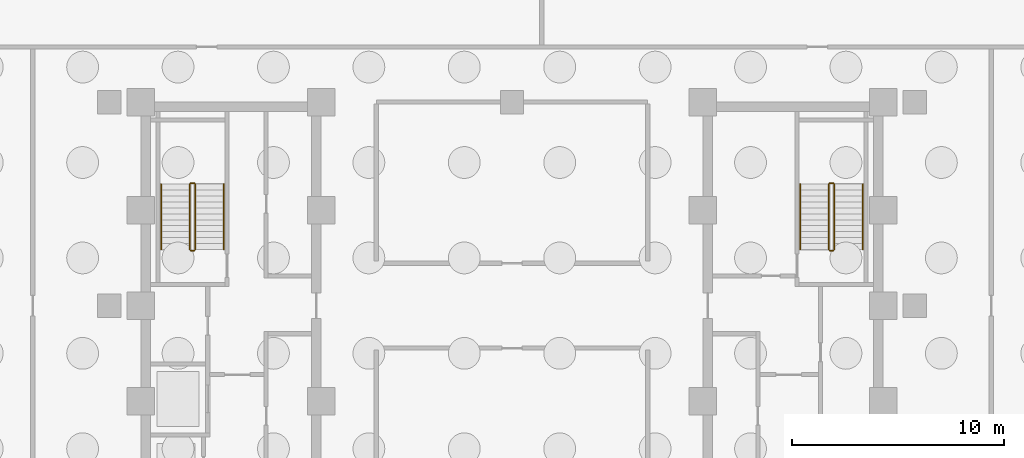
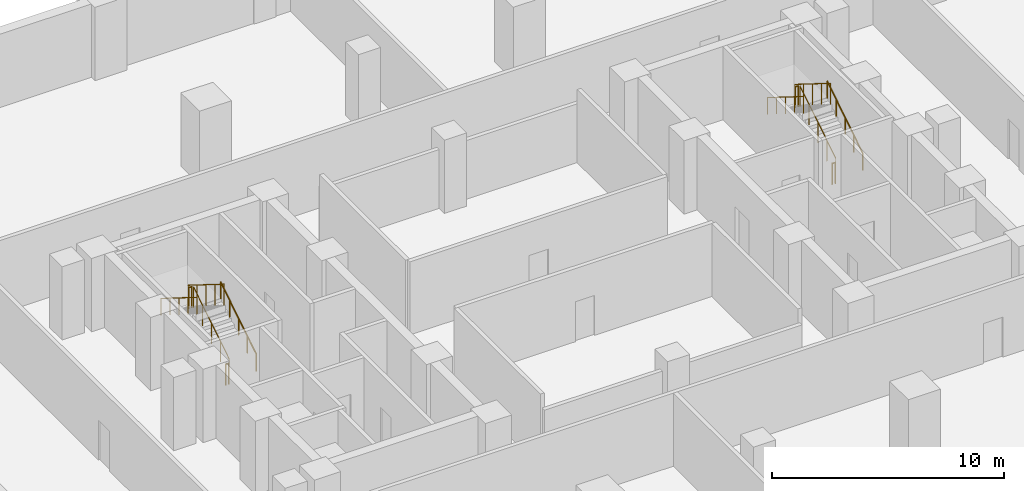
# One storey, part 5 of 6: 12 railings.
"""IFC4 building model written with IfcOpenShell, lengths in metres."""

from ifc_helpers import new_model, si_unit, direction, frame, origin, origin_2d, place, context, subcontext, project, spatial, circle, extrude, material, type_object, element, save


model = new_model("IFC4")

# Units and contexts
model_context = context("Model", 3, precision=1e-05, world=origin(), true_north=direction((0.0, 1.0)))
body_context = subcontext(model_context, "Body", "Model", "MODEL_VIEW")
ifc_project = project(units=[si_unit("LENGTHUNIT", "METRE"), si_unit("AREAUNIT", "SQUARE_METRE"), si_unit("VOLUMEUNIT", "CUBIC_METRE"), si_unit("PLANEANGLEUNIT", "RADIAN"), si_unit("MASSUNIT", "GRAM", prefix="KILO")], contexts=[model_context])

# Site, building, storey
site_placement = place(None, origin())
site = spatial("IfcSite", under=ifc_project, at=site_placement, CompositionType="ELEMENT")
building_placement = place(site_placement, origin())
building = spatial("IfcBuilding", under=site, at=building_placement, Name="Nuvemarco Arch Tower", CompositionType="ELEMENT")
storey_placement = place(building_placement, frame((0.0, 0.0, -8.39990234375)))
storey = spatial("IfcBuildingStorey", under=building, at=storey_placement, Name="B02", CompositionType="ELEMENT", Elevation=-8.39990234375)

# Railings
ifc_material_1 = material(Name="Brushed stainless steel handrail", Category="steel")
railing_type_1 = type_object("IfcRailingType", Name="RL-HANDRAIL-900", PredefinedType="HANDRAIL", material=ifc_material_1)
railing_1_placement = place(storey_placement, frame((-13.590087890625, 2.64990234375, 0.1748046875)))
element("IfcRailing", 1, at=railing_1_placement, inside=storey, type_object=railing_type_1, Name="B02 ST-1 stair handrail 1", PredefinedType="HANDRAIL", context=body_context, shape_type="SweptSolid", body=[
    extrude(circle(Radius=0.02392578125, at=origin_2d()), frame((0.0, 0.0, 0.8759765625), z_axis=(0.0, 0.847998304005, 0.529998940003), x_axis=(-1.0, 0.0, 0.0)), (0.0, 0.0, 1.0), 3.632080078125),
    extrude(circle(Radius=0.02099609375, at=origin_2d()), origin(), (0.0, 0.0, 1.0), 0.851806640625),
    extrude(circle(Radius=0.02099609375, at=origin_2d()), frame((0.0, 0.77001953125, 0.481201171875)), (0.0, 0.0, 1.0), 0.851806640625),
    extrude(circle(Radius=0.02099609375, at=origin_2d()), frame((0.0, 1.5400390625, 0.96240234375)), (0.0, 0.0, 1.0), 0.851806640625),
    extrude(circle(Radius=0.02099609375, at=origin_2d()), frame((0.0, 2.31005859375, 1.44384765625)), (0.0, 0.0, 1.0), 0.851806640625),
    extrude(circle(Radius=0.02099609375, at=origin_2d()), frame((0.0, 3.080078125, 1.925048828125)), (0.0, 0.0, 1.0), 0.851806640625),
])
railing_2_placement = place(storey_placement, frame((-16.550048828125, 5.72998046875, 2.27490234375)))
element("IfcRailing", 2, at=railing_2_placement, inside=storey, type_object=railing_type_1, Name="B02 ST-1 stair handrail 2", PredefinedType="HANDRAIL", context=body_context, shape_type="SweptSolid", body=[
    extrude(circle(Radius=0.02392578125, at=origin_2d()), frame((0.0, 0.0, 0.8759765625), z_axis=(0.0, -0.847998304005, 0.529998940003), x_axis=(1.0, 0.0, 0.0)), (0.0, 0.0, 1.0), 3.632080078125),
    extrude(circle(Radius=0.02099609375, at=origin_2d()), origin(), (0.0, 0.0, 1.0), 0.851806640625),
    extrude(circle(Radius=0.02099609375, at=origin_2d()), frame((0.0, -0.77001953125, 0.481201171875)), (0.0, 0.0, 1.0), 0.851806640625),
    extrude(circle(Radius=0.02099609375, at=origin_2d()), frame((0.0, -1.5400390625, 0.96240234375)), (0.0, 0.0, 1.0), 0.851806640625),
    extrude(circle(Radius=0.02099609375, at=origin_2d()), frame((0.0, -2.31005859375, 1.44384765625)), (0.0, 0.0, 1.0), 0.851806640625),
    extrude(circle(Radius=0.02099609375, at=origin_2d()), frame((0.0, -3.080078125, 1.925048828125)), (0.0, 0.0, 1.0), 0.851806640625),
])
railing_3_placement = place(storey_placement, frame((16.550048828125, 2.64990234375, 0.1748046875)))
element("IfcRailing", 3, at=railing_3_placement, inside=storey, type_object=railing_type_1, Name="B02 ST-2 stair handrail 1", PredefinedType="HANDRAIL", context=body_context, shape_type="SweptSolid", body=[
    extrude(circle(Radius=0.02392578125, at=origin_2d()), frame((0.0, 0.0, 0.8759765625), z_axis=(0.0, 0.847998304005, 0.529998940003), x_axis=(-1.0, 0.0, 0.0)), (0.0, 0.0, 1.0), 3.632080078125),
    extrude(circle(Radius=0.02099609375, at=origin_2d()), origin(), (0.0, 0.0, 1.0), 0.851806640625),
    extrude(circle(Radius=0.02099609375, at=origin_2d()), frame((0.0, 0.77001953125, 0.481201171875)), (0.0, 0.0, 1.0), 0.851806640625),
    extrude(circle(Radius=0.02099609375, at=origin_2d()), frame((0.0, 1.5400390625, 0.96240234375)), (0.0, 0.0, 1.0), 0.851806640625),
    extrude(circle(Radius=0.02099609375, at=origin_2d()), frame((0.0, 2.31005859375, 1.44384765625)), (0.0, 0.0, 1.0), 0.851806640625),
    extrude(circle(Radius=0.02099609375, at=origin_2d()), frame((0.0, 3.080078125, 1.925048828125)), (0.0, 0.0, 1.0), 0.851806640625),
])
railing_4_placement = place(storey_placement, frame((13.590087890625, 5.72998046875, 2.27490234375)))
element("IfcRailing", 4, at=railing_4_placement, inside=storey, type_object=railing_type_1, Name="B02 ST-2 stair handrail 2", PredefinedType="HANDRAIL", context=body_context, shape_type="SweptSolid", body=[
    extrude(circle(Radius=0.02392578125, at=origin_2d()), frame((0.0, 0.0, 0.8759765625), z_axis=(0.0, -0.847998304005, 0.529998940003), x_axis=(1.0, 0.0, 0.0)), (0.0, 0.0, 1.0), 3.632080078125),
    extrude(circle(Radius=0.02099609375, at=origin_2d()), origin(), (0.0, 0.0, 1.0), 0.851806640625),
    extrude(circle(Radius=0.02099609375, at=origin_2d()), frame((0.0, -0.77001953125, 0.481201171875)), (0.0, 0.0, 1.0), 0.851806640625),
    extrude(circle(Radius=0.02099609375, at=origin_2d()), frame((0.0, -1.5400390625, 0.96240234375)), (0.0, 0.0, 1.0), 0.851806640625),
    extrude(circle(Radius=0.02099609375, at=origin_2d()), frame((0.0, -2.31005859375, 1.44384765625)), (0.0, 0.0, 1.0), 0.851806640625),
    extrude(circle(Radius=0.02099609375, at=origin_2d()), frame((0.0, -3.080078125, 1.925048828125)), (0.0, 0.0, 1.0), 0.851806640625),
])
ifc_material_2 = material(Name="Painted balustrade steel S355", Category="steel")
railing_type_2 = type_object("IfcRailingType", Name="RL-STAIR-GUARD", PredefinedType="GUARDRAIL", material=ifc_material_2)
railing_5_placement = place(storey_placement, frame((-14.93994140625, 2.64990234375, 0.1748046875)))
element("IfcRailing", 5, at=railing_5_placement, inside=storey, type_object=railing_type_2, Name="B02 ST-1 stair guard 1", PredefinedType="GUARDRAIL", context=body_context, shape_type="SweptSolid", body=[
    extrude(circle(Radius=0.02392578125, at=origin_2d()), frame((0.0, 0.0, 1.09619140625), z_axis=(0.0, 0.847998304005, 0.529998940003), x_axis=(-1.0, 0.0, 0.0)), (0.0, 0.0, 1.0), 3.632080078125),
    extrude(circle(Radius=0.02099609375, at=origin_2d()), origin(), (0.0, 0.0, 1.0), 1.072021484375),
    extrude(circle(Radius=0.02099609375, at=origin_2d()), frame((0.0, 0.77001953125, 0.481201171875)), (0.0, 0.0, 1.0), 1.072021484375),
    extrude(circle(Radius=0.02099609375, at=origin_2d()), frame((0.0, 1.5400390625, 0.96240234375)), (0.0, 0.0, 1.0), 1.072021484375),
    extrude(circle(Radius=0.02099609375, at=origin_2d()), frame((0.0, 2.31005859375, 1.44384765625)), (0.0, 0.0, 1.0), 1.072021484375),
    extrude(circle(Radius=0.02099609375, at=origin_2d()), frame((0.0, 3.080078125, 1.925048828125)), (0.0, 0.0, 1.0), 1.072021484375),
])
railing_6_placement = place(storey_placement, frame((-14.989990234375, 5.780029296875, 2.099853515625)))
element("IfcRailing", 6, at=railing_6_placement, inside=storey, type_object=railing_type_2, Name="B02 ST-1 stair guard 2", PredefinedType="GUARDRAIL", context=body_context, shape_type="SweptSolid", body=[
    extrude(circle(Radius=0.02392578125, at=origin_2d()), frame((0.0, 0.0, 1.09619140625), z_axis=(-1.0, 0.0, 0.0), x_axis=(0.0, -1.0, 0.0)), (0.0, 0.0, 1.0), 0.159912109375),
    extrude(circle(Radius=0.02099609375, at=origin_2d()), origin(), (0.0, 0.0, 1.0), 1.072021484375),
    extrude(circle(Radius=0.02099609375, at=origin_2d()), frame((-0.159912109375, 0.0, 0.0)), (0.0, 0.0, 1.0), 1.072021484375),
])
railing_7_placement = place(storey_placement, frame((-15.199951171875, 5.72998046875, 2.27490234375)))
element("IfcRailing", 7, at=railing_7_placement, inside=storey, type_object=railing_type_2, Name="B02 ST-1 stair guard 3", PredefinedType="GUARDRAIL", context=body_context, shape_type="SweptSolid", body=[
    extrude(circle(Radius=0.02392578125, at=origin_2d()), frame((0.0, 0.0, 1.09619140625), z_axis=(0.0, -0.847998304005, 0.529998940003), x_axis=(1.0, 0.0, 0.0)), (0.0, 0.0, 1.0), 3.632080078125),
    extrude(circle(Radius=0.02099609375, at=origin_2d()), origin(), (0.0, 0.0, 1.0), 1.072021484375),
    extrude(circle(Radius=0.02099609375, at=origin_2d()), frame((0.0, -0.77001953125, 0.481201171875)), (0.0, 0.0, 1.0), 1.072021484375),
    extrude(circle(Radius=0.02099609375, at=origin_2d()), frame((0.0, -1.5400390625, 0.96240234375)), (0.0, 0.0, 1.0), 1.072021484375),
    extrude(circle(Radius=0.02099609375, at=origin_2d()), frame((0.0, -2.31005859375, 1.44384765625)), (0.0, 0.0, 1.0), 1.072021484375),
    extrude(circle(Radius=0.02099609375, at=origin_2d()), frame((0.0, -3.080078125, 1.925048828125)), (0.0, 0.0, 1.0), 1.072021484375),
])
railing_8_placement = place(storey_placement, frame((-14.989990234375, 2.60009765625, 0.0)))
element("IfcRailing", 8, at=railing_8_placement, inside=storey, type_object=railing_type_2, Name="B02 ST-1 stair guard 4", PredefinedType="GUARDRAIL", context=body_context, shape_type="SweptSolid", body=[
    extrude(circle(Radius=0.02392578125, at=origin_2d()), frame((0.0, 0.0, 1.09619140625), z_axis=(-1.0, 0.0, 0.0), x_axis=(0.0, -1.0, 0.0)), (0.0, 0.0, 1.0), 0.159912109375),
    extrude(circle(Radius=0.02099609375, at=origin_2d()), origin(), (0.0, 0.0, 1.0), 1.072021484375),
    extrude(circle(Radius=0.02099609375, at=origin_2d()), frame((-0.159912109375, 0.0, 0.0)), (0.0, 0.0, 1.0), 1.072021484375),
])
railing_9_placement = place(storey_placement, frame((15.199951171875, 2.64990234375, 0.1748046875)))
element("IfcRailing", 9, at=railing_9_placement, inside=storey, type_object=railing_type_2, Name="B02 ST-2 stair guard 1", PredefinedType="GUARDRAIL", context=body_context, shape_type="SweptSolid", body=[
    extrude(circle(Radius=0.02392578125, at=origin_2d()), frame((0.0, 0.0, 1.09619140625), z_axis=(0.0, 0.847998304005, 0.529998940003), x_axis=(-1.0, 0.0, 0.0)), (0.0, 0.0, 1.0), 3.632080078125),
    extrude(circle(Radius=0.02099609375, at=origin_2d()), origin(), (0.0, 0.0, 1.0), 1.072021484375),
    extrude(circle(Radius=0.02099609375, at=origin_2d()), frame((0.0, 0.77001953125, 0.481201171875)), (0.0, 0.0, 1.0), 1.072021484375),
    extrude(circle(Radius=0.02099609375, at=origin_2d()), frame((0.0, 1.5400390625, 0.96240234375)), (0.0, 0.0, 1.0), 1.072021484375),
    extrude(circle(Radius=0.02099609375, at=origin_2d()), frame((0.0, 2.31005859375, 1.44384765625)), (0.0, 0.0, 1.0), 1.072021484375),
    extrude(circle(Radius=0.02099609375, at=origin_2d()), frame((0.0, 3.080078125, 1.925048828125)), (0.0, 0.0, 1.0), 1.072021484375),
])
railing_10_placement = place(storey_placement, frame((15.14990234375, 5.780029296875, 2.099853515625)))
element("IfcRailing", 10, at=railing_10_placement, inside=storey, type_object=railing_type_2, Name="B02 ST-2 stair guard 2", PredefinedType="GUARDRAIL", context=body_context, shape_type="SweptSolid", body=[
    extrude(circle(Radius=0.02392578125, at=origin_2d()), frame((0.0, 0.0, 1.09619140625), z_axis=(-1.0, 0.0, 0.0), x_axis=(0.0, -1.0, 0.0)), (0.0, 0.0, 1.0), 0.159912109375),
    extrude(circle(Radius=0.02099609375, at=origin_2d()), origin(), (0.0, 0.0, 1.0), 1.072021484375),
    extrude(circle(Radius=0.02099609375, at=origin_2d()), frame((-0.159912109375, 0.0, 0.0)), (0.0, 0.0, 1.0), 1.072021484375),
])
railing_11_placement = place(storey_placement, frame((14.93994140625, 5.72998046875, 2.27490234375)))
element("IfcRailing", 11, at=railing_11_placement, inside=storey, type_object=railing_type_2, Name="B02 ST-2 stair guard 3", PredefinedType="GUARDRAIL", context=body_context, shape_type="SweptSolid", body=[
    extrude(circle(Radius=0.02392578125, at=origin_2d()), frame((0.0, 0.0, 1.09619140625), z_axis=(0.0, -0.847998304005, 0.529998940003), x_axis=(1.0, 0.0, 0.0)), (0.0, 0.0, 1.0), 3.632080078125),
    extrude(circle(Radius=0.02099609375, at=origin_2d()), origin(), (0.0, 0.0, 1.0), 1.072021484375),
    extrude(circle(Radius=0.02099609375, at=origin_2d()), frame((0.0, -0.77001953125, 0.481201171875)), (0.0, 0.0, 1.0), 1.072021484375),
    extrude(circle(Radius=0.02099609375, at=origin_2d()), frame((0.0, -1.5400390625, 0.96240234375)), (0.0, 0.0, 1.0), 1.072021484375),
    extrude(circle(Radius=0.02099609375, at=origin_2d()), frame((0.0, -2.31005859375, 1.44384765625)), (0.0, 0.0, 1.0), 1.072021484375),
    extrude(circle(Radius=0.02099609375, at=origin_2d()), frame((0.0, -3.080078125, 1.925048828125)), (0.0, 0.0, 1.0), 1.072021484375),
])
railing_12_placement = place(storey_placement, frame((15.14990234375, 2.60009765625, 0.0)))
element("IfcRailing", 12, at=railing_12_placement, inside=storey, type_object=railing_type_2, Name="B02 ST-2 stair guard 4", PredefinedType="GUARDRAIL", context=body_context, shape_type="SweptSolid", body=[
    extrude(circle(Radius=0.02392578125, at=origin_2d()), frame((0.0, 0.0, 1.09619140625), z_axis=(-1.0, 0.0, 0.0), x_axis=(0.0, -1.0, 0.0)), (0.0, 0.0, 1.0), 0.159912109375),
    extrude(circle(Radius=0.02099609375, at=origin_2d()), origin(), (0.0, 0.0, 1.0), 1.072021484375),
    extrude(circle(Radius=0.02099609375, at=origin_2d()), frame((-0.159912109375, 0.0, 0.0)), (0.0, 0.0, 1.0), 1.072021484375),
])

save(model, "model.ifc")
